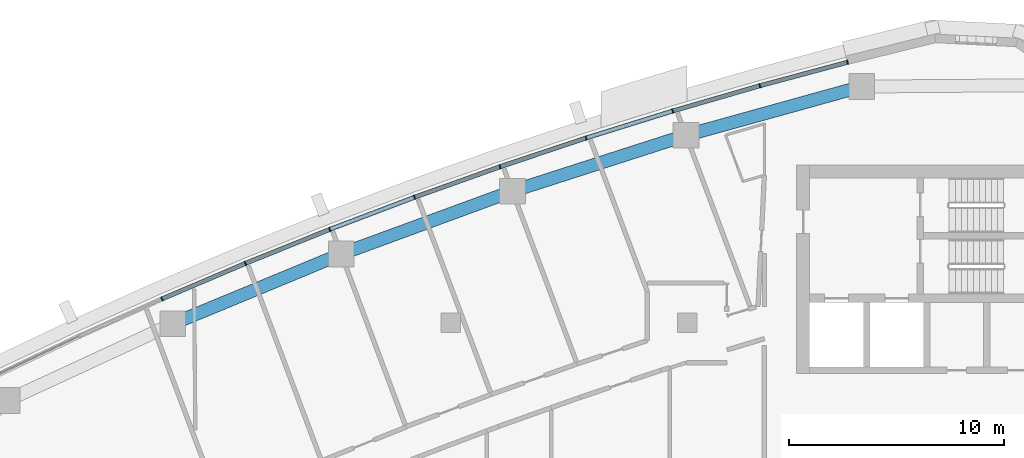
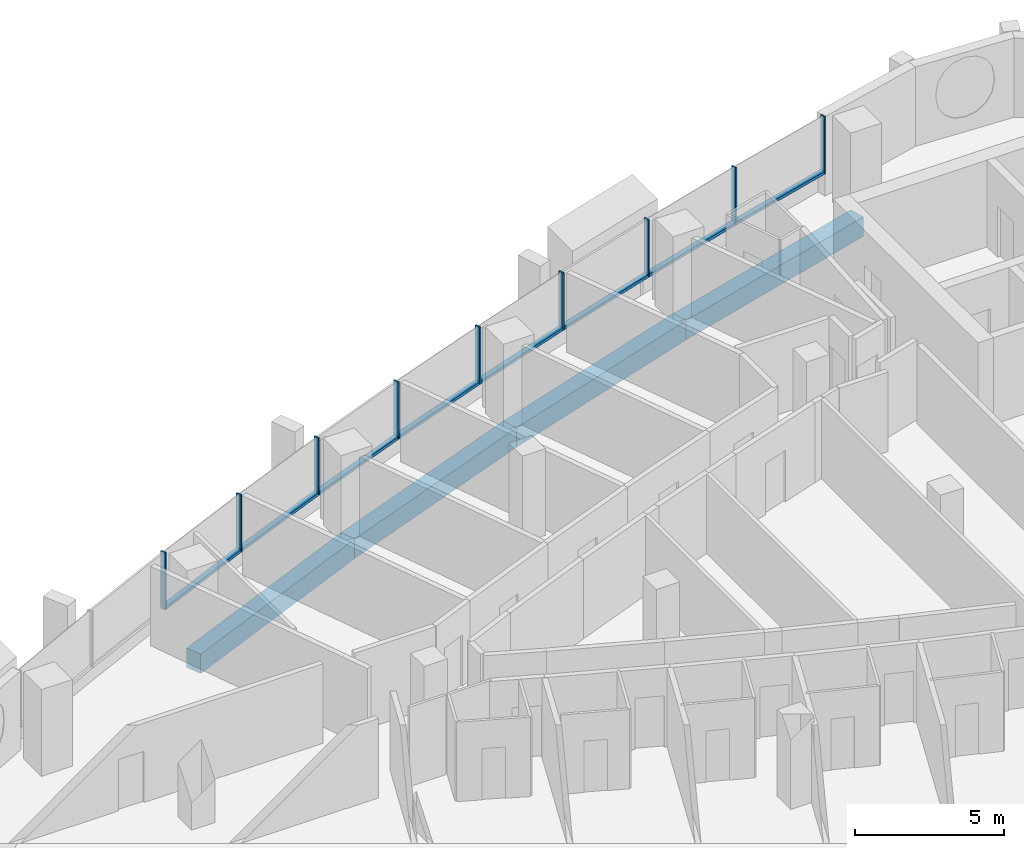
# One storey, part 6 of 16: 17 members, 4 beams, 4 elements without a shape of their own.
"""IFC4 building model written with IfcOpenShell, lengths in metres."""

import ifcopenshell
import ifcopenshell.guid

model = None  # the IFC model being written
_history = None  # IfcOwnerHistory: only IFC2X3 demands one
_inside = {}  # id of a spatial element -> (the spatial element, [elements in it])
_under = {}  # id of a project, library or spatial element -> (it, [spatial elements below it])
_declared = {}  # id of a project -> (the project, [libraries it declares])
_typed = {}  # id of a type object -> (the type object, [elements of that type])
_made_of = {}  # id of a material, layer set ... -> (it, [elements and type objects made of it])


def new_model(schema):
    """Start an empty IFC model of exactly this schema.

    Asked for "IFC4X3", IfcOpenShell would pick the latest addendum, in which some entities
    have other attributes; the version numbers below select the first issue.
    IFC2X3 requires an IfcOwnerHistory on every rooted entity: one is made here for all.
    """
    global model, _history
    if schema == "IFC4X3":
        model = ifcopenshell.file(schema_version=(4, 3, 0, 0))
    else:
        model = ifcopenshell.file(schema=schema)
    _inside.clear()
    _under.clear()
    _declared.clear()
    _typed.clear()
    _made_of.clear()
    _history = None
    if model.schema == "IFC2X3":
        org = make("IfcOrganization", Name="unknown")
        user = make(
            "IfcPersonAndOrganization",
            ThePerson=make("IfcPerson", FamilyName="unknown"),
            TheOrganization=org,
        )
        app = make(
            "IfcApplication",
            ApplicationDeveloper=org,
            Version="unknown",
            ApplicationFullName="unknown",
            ApplicationIdentifier="unknown",
        )
        _history = make(
            "IfcOwnerHistory",
            OwningUser=user,
            OwningApplication=app,
            ChangeAction="ADDED",
            CreationDate=0,
        )
    return model


def make(cls, **values):
    """One entity of the class cls with the attributes given. An attribute that is None is left unset."""
    return model.create_entity(
        cls, **{name: value for name, value in values.items() if value is not None}
    )


def rooted(cls, **values):
    """An entity with a GlobalId (a new one), such as an element, a storey or a relation."""
    return make(cls, GlobalId=ifcopenshell.guid.new(), OwnerHistory=_history, **values)


def si_unit(unit_type, name, prefix=None):
    """IfcSIUnit, for example si_unit("LENGTHUNIT", "METRE", prefix="MILLI")."""
    return make("IfcSIUnit", UnitType=unit_type, Prefix=prefix, Name=name)


def assignment(units):
    """IfcUnitAssignment: the units of a project."""
    return None if units is None else make("IfcUnitAssignment", Units=units)


def point(xyz):
    """IfcCartesianPoint."""
    return None if xyz is None else make("IfcCartesianPoint", Coordinates=xyz)


def direction(xyz):
    """IfcDirection."""
    return None if xyz is None else make("IfcDirection", DirectionRatios=xyz)


def frame(location, z_axis=None, x_axis=None):
    """IfcAxis2Placement3D, a coordinate frame: its origin and axes. An axis left out is left unset."""
    return make(
        "IfcAxis2Placement3D",
        Location=point(location),
        Axis=direction(z_axis),
        RefDirection=direction(x_axis),
    )


def frame_2d(location, x_axis=None):
    """IfcAxis2Placement2D, a coordinate frame in the plane: its origin and x axis."""
    return make(
        "IfcAxis2Placement2D", Location=point(location), RefDirection=direction(x_axis)
    )


def origin():
    """The frame at (0, 0, 0) with its axes left unset."""
    return frame((0.0, 0.0, 0.0))


def origin_2d():
    """The frame at (0, 0) in the plane with its x axis left unset."""
    return frame_2d((0.0, 0.0))


def place(relative_to, where):
    """IfcLocalPlacement: puts the frame where relative to a parent placement (None: the world)."""
    return make(
        "IfcLocalPlacement", PlacementRelTo=relative_to, RelativePlacement=where
    )


def context(
    kind, dimensions, precision=None, world=None, true_north=None, identifier=None
):
    """IfcGeometricRepresentationContext, for example the 3D "Model" context."""
    return make(
        "IfcGeometricRepresentationContext",
        ContextIdentifier=identifier,
        ContextType=kind,
        CoordinateSpaceDimension=dimensions,
        Precision=precision,
        WorldCoordinateSystem=world,
        TrueNorth=true_north,
    )


def subcontext(parent, identifier, kind, view, scale=None):
    """IfcGeometricRepresentationSubContext, for example "Body" below "Model"."""
    return make(
        "IfcGeometricRepresentationSubContext",
        ContextIdentifier=identifier,
        ContextType=kind,
        ParentContext=parent,
        TargetScale=scale,
        TargetView=view,
    )


def project(units=None, contexts=None):
    """IfcProject with its units and contexts."""
    return rooted(
        "IfcProject",
        Name="project",
        RepresentationContexts=contexts,
        UnitsInContext=assignment(units),
    )


def spatial(cls, under=None, at=None, **own):
    """A site, building, storey or space (cls), placed at a placement, below another one or the project."""
    s = rooted(cls, ObjectPlacement=at, **own)
    if under is not None:
        _under.setdefault(under.id(), (under, []))[1].append(s)
    return s


def profile(cls, at=None, kind="AREA", **sizes):
    """A parametric profile (cls). Its sizes go by their IFC names, for example OverallWidth=200.0."""
    return make(cls, ProfileType=kind, Position=at, **sizes)


def rectangle(**sizes):
    """IfcRectangleProfileDef."""
    return profile("IfcRectangleProfileDef", **sizes)


def extrude(swept, where, along, depth):
    """IfcExtrudedAreaSolid: the profile swept, set in the frame where, extruded along a direction by depth."""
    return make(
        "IfcExtrudedAreaSolid",
        SweptArea=swept,
        Position=where,
        ExtrudedDirection=direction(along),
        Depth=depth,
    )


def shape(context_of_items, identifier, shape_type, items):
    """IfcShapeRepresentation: the items that make up one representation, for example the "Body"."""
    return make(
        "IfcShapeRepresentation",
        ContextOfItems=context_of_items,
        RepresentationIdentifier=identifier,
        RepresentationType=shape_type,
        Items=items,
    )


def material(Name=None, Category=None):
    """IfcMaterial."""
    return make("IfcMaterial", Name=Name, Category=Category)


def layer(
    of_material, thickness, ventilated=None, Name=None, Category=None, Priority=None
):
    """IfcMaterialLayer: one layer of a wall or slab, of a material (None: an air gap)."""
    return make(
        "IfcMaterialLayer",
        Material=of_material,
        LayerThickness=thickness,
        IsVentilated=ventilated,
        Name=Name,
        Category=Category,
        Priority=Priority,
    )


def layer_set(layers, Name=None):
    """IfcMaterialLayerSet."""
    return make("IfcMaterialLayerSet", MaterialLayers=layers, LayerSetName=Name)


def material_profile(
    of_material, cross_section, Name=None, Category=None, Priority=None
):
    """IfcMaterialProfile: a cross section and its material."""
    return make(
        "IfcMaterialProfile",
        Name=Name,
        Material=of_material,
        Profile=cross_section,
        Priority=Priority,
        Category=Category,
    )


def profile_set(profiles, Name=None, composite=None):
    """IfcMaterialProfileSet."""
    return make(
        "IfcMaterialProfileSet",
        Name=Name,
        MaterialProfiles=profiles,
        CompositeProfile=composite,
    )


def made_of(thing, what):
    """Note that an element or type object is made of a material, layer set ...; save() writes the relation."""
    if what is not None:
        _made_of.setdefault(what.id(), (what, []))[1].append(thing)
    return thing


def type_object(cls, material=None, **own):
    """A type object (cls), such as IfcWallType, which elements share."""
    return made_of(rooted(cls, **own), material)


def element(
    cls,
    number,
    at=None,
    inside=None,
    cuts=None,
    type_object=None,
    material=None,
    context=None,
    identifier="Body",
    shape_type=None,
    held_by="IfcProductDefinitionShape",
    body=None,
    shapes=None,
    **own,
):
    """One element of the class cls, such as IfcWall. Its Tag is "e" and its number.

    at: its placement. inside: the storey or other place that contains it. cuts: it is an
    opening in that element (IfcRelVoidsElement). A single representation is given by context,
    identifier, shape_type and body (its items); several are given by shapes. held_by: the class
    of the entity that holds the representations. save() writes the other relations.
    """
    e = rooted(cls, Tag="e%d" % number, ObjectPlacement=at, **own)
    if body is not None:
        shapes = [shape(context, identifier, shape_type, body)]
    if shapes is not None:
        e.Representation = make(held_by, Representations=shapes)
    if inside is not None:
        _inside.setdefault(inside.id(), (inside, []))[1].append(e)
    if cuts is not None:
        rooted(
            "IfcRelVoidsElement", RelatingBuildingElement=cuts, RelatedOpeningElement=e
        )
    if type_object is not None:
        _typed.setdefault(type_object.id(), (type_object, []))[1].append(e)
    return made_of(e, material)


def aggregate(whole, parts):
    """IfcRelAggregates: a whole, such as a stair, and the parts it consists of."""
    return rooted("IfcRelAggregates", RelatingObject=whole, RelatedObjects=parts)


def save(model, path):
    """Write the relations noted so far, then the file.

    IfcRelAggregates (storeys below a building ...), IfcRelContainedInSpatialStructure (elements
    in a storey), IfcRelDefinesByType, IfcRelAssociatesMaterial and IfcRelDeclares: one each for
    every whole, place, type object, material and project.
    """
    for whole, parts in _under.values():
        aggregate(whole, parts)
    for where, things in _inside.values():
        rooted(
            "IfcRelContainedInSpatialStructure",
            RelatedElements=things,
            RelatingStructure=where,
        )
    for kind, things in _typed.values():
        rooted("IfcRelDefinesByType", RelatedObjects=things, RelatingType=kind)
    for what, things in _made_of.values():
        rooted("IfcRelAssociatesMaterial", RelatedObjects=things, RelatingMaterial=what)
    for by, libraries in _declared.values():
        rooted("IfcRelDeclares", RelatingContext=by, RelatedDefinitions=libraries)
    model.write(path)


model = new_model("IFC4")

# Units and contexts
model_context = context("Model", 3, precision=1e-05, world=origin(), true_north=direction((0.0, 1.0)))
body_context = subcontext(model_context, "Body", "Model", "MODEL_VIEW")
ifc_project = project(units=[si_unit("LENGTHUNIT", "METRE"), si_unit("AREAUNIT", "SQUARE_METRE"), si_unit("VOLUMEUNIT", "CUBIC_METRE"), si_unit("PLANEANGLEUNIT", "RADIAN"), si_unit("MASSUNIT", "GRAM", prefix="KILO")], contexts=[model_context])

# Site, building, storey
site_placement = place(None, origin())
site = spatial("IfcSite", under=ifc_project, at=site_placement, CompositionType="ELEMENT")
building_placement = place(site_placement, origin())
building = spatial("IfcBuilding", under=site, at=building_placement, Name="Ostrand Prow Hotel Tower", CompositionType="ELEMENT")
storey_placement = place(building_placement, frame((0.0, 0.0, 245.64990234375)))
storey = spatial("IfcBuildingStorey", under=building, at=storey_placement, Name="L62", CompositionType="ELEMENT", Elevation=245.64990234375)

# Beams
ifc_material_1 = material(Name="Concrete C50/60", Category="concrete")
ifc_material_profile_1 = material_profile(ifc_material_1, rectangle(XDim=0.60009765625, YDim=0.800048828125, at=origin_2d()), Name="RC 600x800")
ifc_profile_set_1 = profile_set([ifc_material_profile_1], Name="Concrete C50/60")
beam_type = type_object("IfcBeamType", Name="Edge beam 600x800 C50/60", PredefinedType="SPANDREL", material=ifc_profile_set_1)
for number, where, z_axis, x_axis, name in (
    (1, (53.12548828125, 19.99951171875, -0.699951171875), (-0.963625802813, -0.267255144297, 0.0), (0.267255144297, -0.963625802813, 0.0), "Edge beam N1-N2"),
    (2, (44.94677734375, 17.731201171875, -0.699951171875), (-0.95193933362, -0.306286638798, 0.0), (0.306286638798, -0.95193933362, 0.0), "Edge beam N2-N3"),
    (3, (36.8671875, 15.131591796875, -0.699951171875), (-0.938684959139, -0.344776083113, 0.0), (0.344776083113, -0.938684959139, 0.0), "Edge beam N3-N4"),
    (4, (28.900146484375, 12.205322265625, -0.699951171875), (-0.923890977326, -0.38265580097, 0.0), (0.38265580097, -0.923890977326, 0.0), "Edge beam N4-N5"),
):
    element("IfcBeam", number, at=place(storey_placement, frame(where, z_axis=z_axis, x_axis=x_axis)), inside=storey, type_object=beam_type, Name=name, PredefinedType="SPANDREL", context=body_context, shape_type="SweptSolid", body=[
        extrude(rectangle(XDim=0.60009765625, YDim=0.800048828125, at=origin_2d()), origin(), (0.0, 0.0, 1.0), 8.487548828125),
    ])

# Curtain wall, members
ifc_material_2 = material(Name="Insulated glass in bronze anodised frame", Category="glass")
ifc_layer = layer(ifc_material_2, 0.199951171875)
ifc_layer_set = layer_set([ifc_layer], Name="Insulated glass in bronze anodised frame")
curtain_wall_type = type_object("IfcCurtainWallType", Name="Strip curtain wall, fritted glass over bronze spandrel", PredefinedType="NOTDEFINED", material=ifc_layer_set)
curtain_wall_1_placement = place(storey_placement, origin())
curtain_wall_1 = element("IfcCurtainWall", 5, at=curtain_wall_1_placement, inside=storey, type_object=curtain_wall_type, Name="CW1 run CWN1", PredefinedType="NOTDEFINED")
ifc_material_3 = material(Name="Bronze anodised aluminium", Category="aluminium")
ifc_material_profile_2 = material_profile(ifc_material_3, rectangle(XDim=0.199951171875, YDim=0.06005859375, at=origin_2d()), Name="Mullion 60x200 bronze anodised aluminium")
ifc_profile_set_2 = profile_set([ifc_material_profile_2], Name="Bronze anodised aluminium")
member_type_1 = type_object("IfcMemberType", Name="Mullion 60x200 bronze anodised aluminium", PredefinedType="MULLION", material=ifc_profile_set_2)
member_1_placement = place(storey_placement, frame((52.465576171875, 21.1328125, 0.900146484375), z_axis=(0.0, 0.0, 1.0), x_axis=(0.258994370132, -0.965878831034, 0.0)))
member_1 = element("IfcMember", 6, at=member_1_placement, type_object=member_type_1, Name="CW1 mullion 1", PredefinedType="MULLION", context=body_context, shape_type="SweptSolid", body=[
    extrude(rectangle(XDim=0.199951171875, YDim=0.06005859375, at=origin_2d()), origin(), (0.0, 0.0, 1.0), 2.349853515625),
])
member_2_placement = place(storey_placement, frame((48.385986328125, 20.038818359375, 0.900146484375), z_axis=(0.0, 0.0, 1.0), x_axis=(0.27839270969, -0.960467333745, 0.0)))
member_2 = element("IfcMember", 7, at=member_2_placement, type_object=member_type_1, Name="CW1 mullion 2", PredefinedType="MULLION", context=body_context, shape_type="SweptSolid", body=[
    extrude(rectangle(XDim=0.199951171875, YDim=0.06005859375, at=origin_2d()), origin(), (0.0, 0.0, 1.0), 2.349853515625),
])
member_3_placement = place(storey_placement, frame((44.3291015625, 18.863037109375, 0.900146484375), z_axis=(0.0, 0.0, 1.0), x_axis=(0.27839270969, -0.960467333745, 0.0)))
member_3 = element("IfcMember", 8, at=member_3_placement, type_object=member_type_1, Name="CW1 mullion 3", PredefinedType="MULLION", context=body_context, shape_type="SweptSolid", body=[
    extrude(rectangle(XDim=0.199951171875, YDim=0.06005859375, at=origin_2d()), origin(), (0.0, 0.0, 1.0), 2.349853515625),
])

curtain_wall_2_placement = place(storey_placement, origin())
curtain_wall_2 = element("IfcCurtainWall", 9, at=curtain_wall_2_placement, inside=storey, type_object=curtain_wall_type, Name="CW1 run CWN2", PredefinedType="NOTDEFINED")
member_4_placement = place(storey_placement, frame((40.297119140625, 17.605712890625, 0.900146484375), z_axis=(0.0, 0.0, 1.0), x_axis=(0.31684118017, -0.948478606268, 0.0)))
member_4 = element("IfcMember", 10, at=member_4_placement, type_object=member_type_1, Name="CW1 mullion 2", PredefinedType="MULLION", context=body_context, shape_type="SweptSolid", body=[
    extrude(rectangle(XDim=0.199951171875, YDim=0.06005859375, at=origin_2d()), origin(), (0.0, 0.0, 1.0), 2.349853515625),
])
member_5_placement = place(storey_placement, frame((36.291015625, 16.267578125, 0.900146484375), z_axis=(0.0, 0.0, 1.0), x_axis=(0.31684118017, -0.948478606268, 0.0)))
member_5 = element("IfcMember", 11, at=member_5_placement, type_object=member_type_1, Name="CW1 mullion 3", PredefinedType="MULLION", context=body_context, shape_type="SweptSolid", body=[
    extrude(rectangle(XDim=0.199951171875, YDim=0.06005859375, at=origin_2d()), origin(), (0.0, 0.0, 1.0), 2.349853515625),
])

curtain_wall_3_placement = place(storey_placement, origin())
curtain_wall_3 = element("IfcCurtainWall", 12, at=curtain_wall_3_placement, inside=storey, type_object=curtain_wall_type, Name="CW1 run CWN3", PredefinedType="NOTDEFINED")
member_6_placement = place(storey_placement, frame((32.3125, 14.848876953125, 0.900146484375), z_axis=(0.0, 0.0, 1.0), x_axis=(0.354777361469, -0.934950813567, 0.0)))
member_6 = element("IfcMember", 13, at=member_6_placement, type_object=member_type_1, Name="CW1 mullion 2", PredefinedType="MULLION", context=body_context, shape_type="SweptSolid", body=[
    extrude(rectangle(XDim=0.199951171875, YDim=0.06005859375, at=origin_2d()), origin(), (0.0, 0.0, 1.0), 2.349853515625),
])
member_7_placement = place(storey_placement, frame((28.363525390625, 13.350341796875, 0.900146484375), z_axis=(0.0, 0.0, 1.0), x_axis=(0.354777361469, -0.934950813567, 0.0)))
member_7 = element("IfcMember", 14, at=member_7_placement, type_object=member_type_1, Name="CW1 mullion 3", PredefinedType="MULLION", context=body_context, shape_type="SweptSolid", body=[
    extrude(rectangle(XDim=0.199951171875, YDim=0.06005859375, at=origin_2d()), origin(), (0.0, 0.0, 1.0), 2.349853515625),
])

curtain_wall_4_placement = place(storey_placement, origin())
curtain_wall_4 = element("IfcCurtainWall", 15, at=curtain_wall_4_placement, inside=storey, type_object=curtain_wall_type, Name="CW1 run CWN4", PredefinedType="NOTDEFINED")
member_8_placement = place(storey_placement, frame((24.445556640625, 11.772705078125, 0.900146484375), z_axis=(0.0, 0.0, 1.0), x_axis=(0.392136433347, -0.919907070112, 0.0)))
member_8 = element("IfcMember", 16, at=member_8_placement, type_object=member_type_1, Name="CW1 mullion 2", PredefinedType="MULLION", context=body_context, shape_type="SweptSolid", body=[
    extrude(rectangle(XDim=0.199951171875, YDim=0.06005859375, at=origin_2d()), origin(), (0.0, 0.0, 1.0), 2.349853515625),
])
member_9_placement = place(storey_placement, frame((20.56005859375, 10.116455078125, 0.900146484375), z_axis=(0.0, 0.0, 1.0), x_axis=(0.392136433347, -0.919907070112, 0.0)))
member_9 = element("IfcMember", 17, at=member_9_placement, type_object=member_type_1, Name="CW1 mullion 3", PredefinedType="MULLION", context=body_context, shape_type="SweptSolid", body=[
    extrude(rectangle(XDim=0.199951171875, YDim=0.06005859375, at=origin_2d()), origin(), (0.0, 0.0, 1.0), 2.349853515625),
])

# Member
ifc_material_4 = material(Name="Bronze anodised aluminium", Category="aluminium")
ifc_material_profile_3 = material_profile(ifc_material_4, rectangle(XDim=0.199951171875, YDim=0.1201171875, at=origin_2d()), Name="Transom 120x200 bronze anodised aluminium")
ifc_profile_set_3 = profile_set([ifc_material_profile_3], Name="Bronze anodised aluminium")
member_type_2 = type_object("IfcMemberType", Name="Transom 120x200 bronze anodised aluminium", PredefinedType="USERDEFINED", material=ifc_profile_set_3)
member_10_placement = place(storey_placement, frame((52.4365234375, 21.125, 0.960205078125), z_axis=(-0.96587683346, -0.259001819657, 0.0), x_axis=(0.259001819657, -0.96587683346, 0.0)))
member_10 = element("IfcMember", 18, at=member_10_placement, type_object=member_type_2, Name="CW1 transom 1.1", ObjectType="TRANSOM", PredefinedType="USERDEFINED", context=body_context, shape_type="SweptSolid", body=[
    extrude(rectangle(XDim=0.199951171875, YDim=0.1201171875, at=origin_2d()), origin(), (0.0, 0.0, 1.0), 4.16357421875),
])

member_11_placement = place(storey_placement, frame((48.357177734375, 20.030517578125, 0.960205078125), z_axis=(-0.960468183791, -0.278389776976, 0.0), x_axis=(0.278389776976, -0.960468183791, 0.0)))
member_11 = element("IfcMember", 19, at=member_11_placement, type_object=member_type_2, Name="CW1 transom 2.1", ObjectType="TRANSOM", PredefinedType="USERDEFINED", context=body_context, shape_type="SweptSolid", body=[
    extrude(rectangle(XDim=0.199951171875, YDim=0.1201171875, at=origin_2d()), origin(), (0.0, 0.0, 1.0), 4.163818359375),
])

aggregate(curtain_wall_1, [member_1, member_2, member_3, member_10, member_11])

member_12_placement = place(storey_placement, frame((44.300537109375, 18.85400390625, 0.960205078125), z_axis=(-0.954676966691, -0.297643896746, 0.0), x_axis=(0.297643896746, -0.954676966691, 0.0)))
member_12 = element("IfcMember", 20, at=member_12_placement, type_object=member_type_2, Name="CW1 transom 1.1", ObjectType="TRANSOM", PredefinedType="USERDEFINED", context=body_context, shape_type="SweptSolid", body=[
    extrude(rectangle(XDim=0.199951171875, YDim=0.1201171875, at=origin_2d()), origin(), (0.0, 0.0, 1.0), 4.16357421875),
])

member_13_placement = place(storey_placement, frame((40.2685546875, 17.59619140625, 0.960205078125), z_axis=(-0.948489622939, -0.316808199353, 0.0), x_axis=(0.316808199353, -0.948489622939, 0.0)))
member_13 = element("IfcMember", 21, at=member_13_placement, type_object=member_type_2, Name="CW1 transom 2.1", ObjectType="TRANSOM", PredefinedType="USERDEFINED", context=body_context, shape_type="SweptSolid", body=[
    extrude(rectangle(XDim=0.199951171875, YDim=0.1201171875, at=origin_2d()), origin(), (0.0, 0.0, 1.0), 4.16357421875),
])

aggregate(curtain_wall_2, [member_4, member_5, member_12, member_13])

member_14_placement = place(storey_placement, frame((36.2626953125, 16.25732421875, 0.960205078125), z_axis=(-0.941911594104, -0.335860907061, 0.0), x_axis=(0.335860907061, -0.941911594104, 0.0)))
member_14 = element("IfcMember", 22, at=member_14_placement, type_object=member_type_2, Name="CW1 transom 1.1", ObjectType="TRANSOM", PredefinedType="USERDEFINED", context=body_context, shape_type="SweptSolid", body=[
    extrude(rectangle(XDim=0.199951171875, YDim=0.1201171875, at=origin_2d()), origin(), (0.0, 0.0, 1.0), 4.163818359375),
])

member_15_placement = place(storey_placement, frame((32.284423828125, 14.838134765625, 0.960205078125), z_axis=(-0.934960644813, -0.354751451936, 0.0), x_axis=(0.354751451936, -0.934960644813, 0.0)))
member_15 = element("IfcMember", 23, at=member_15_placement, type_object=member_type_2, Name="CW1 transom 2.1", ObjectType="TRANSOM", PredefinedType="USERDEFINED", context=body_context, shape_type="SweptSolid", body=[
    extrude(rectangle(XDim=0.199951171875, YDim=0.1201171875, at=origin_2d()), origin(), (0.0, 0.0, 1.0), 4.16357421875),
])

aggregate(curtain_wall_3, [member_6, member_7, member_14, member_15])

member_16_placement = place(storey_placement, frame((28.335693359375, 13.339111328125, 0.960205078125), z_axis=(-0.927625049372, -0.373512741119, 0.0), x_axis=(0.373512741119, -0.927625049372, 0.0)))
member_16 = element("IfcMember", 24, at=member_16_placement, type_object=member_type_2, Name="CW1 transom 1.1", ObjectType="TRANSOM", PredefinedType="USERDEFINED", context=body_context, shape_type="SweptSolid", body=[
    extrude(rectangle(XDim=0.199951171875, YDim=0.1201171875, at=origin_2d()), origin(), (0.0, 0.0, 1.0), 4.16357421875),
])

member_17_placement = place(storey_placement, frame((24.41796875, 11.760986328125, 0.960205078125), z_axis=(-0.919904541337, -0.392142365509, 0.0), x_axis=(0.392142365509, -0.919904541337, 0.0)))
member_17 = element("IfcMember", 25, at=member_17_placement, type_object=member_type_2, Name="CW1 transom 2.1", ObjectType="TRANSOM", PredefinedType="USERDEFINED", context=body_context, shape_type="SweptSolid", body=[
    extrude(rectangle(XDim=0.199951171875, YDim=0.1201171875, at=origin_2d()), origin(), (0.0, 0.0, 1.0), 4.163818359375),
])

aggregate(curtain_wall_4, [member_8, member_9, member_16, member_17])

save(model, "model.ifc")
